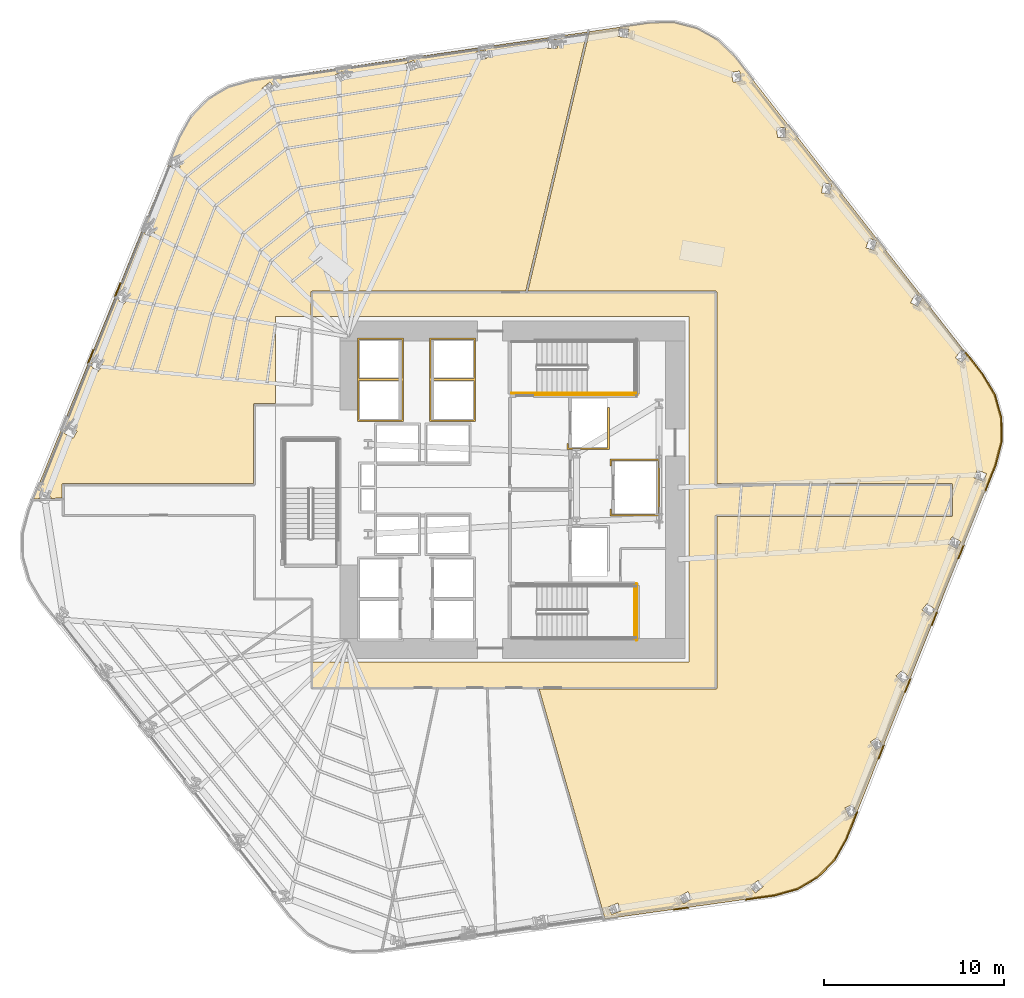
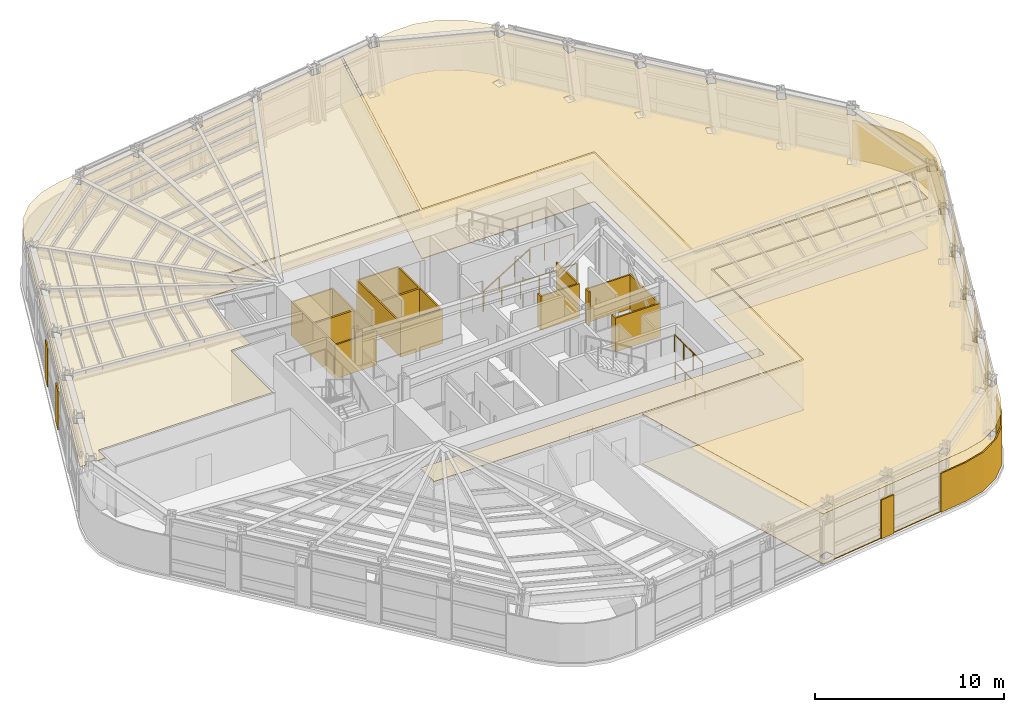
# One storey, part 12 of 16: 17 coverings, 6 railings.
"""IFC4 building model written with IfcOpenShell, lengths in metres."""

import ifcopenshell
import ifcopenshell.guid

model = None  # the IFC model being written
_history = None  # IfcOwnerHistory: only IFC2X3 demands one
_inside = {}  # id of a spatial element -> (the spatial element, [elements in it])
_under = {}  # id of a project, library or spatial element -> (it, [spatial elements below it])
_declared = {}  # id of a project -> (the project, [libraries it declares])
_typed = {}  # id of a type object -> (the type object, [elements of that type])
_made_of = {}  # id of a material, layer set ... -> (it, [elements and type objects made of it])


def new_model(schema):
    """Start an empty IFC model of exactly this schema.

    Asked for "IFC4X3", IfcOpenShell would pick the latest addendum, in which some entities
    have other attributes; the version numbers below select the first issue.
    IFC2X3 requires an IfcOwnerHistory on every rooted entity: one is made here for all.
    """
    global model, _history
    if schema == "IFC4X3":
        model = ifcopenshell.file(schema_version=(4, 3, 0, 0))
    else:
        model = ifcopenshell.file(schema=schema)
    _inside.clear()
    _under.clear()
    _declared.clear()
    _typed.clear()
    _made_of.clear()
    _history = None
    if model.schema == "IFC2X3":
        org = make("IfcOrganization", Name="unknown")
        user = make(
            "IfcPersonAndOrganization",
            ThePerson=make("IfcPerson", FamilyName="unknown"),
            TheOrganization=org,
        )
        app = make(
            "IfcApplication",
            ApplicationDeveloper=org,
            Version="unknown",
            ApplicationFullName="unknown",
            ApplicationIdentifier="unknown",
        )
        _history = make(
            "IfcOwnerHistory",
            OwningUser=user,
            OwningApplication=app,
            ChangeAction="ADDED",
            CreationDate=0,
        )
    return model


def make(cls, **values):
    """One entity of the class cls with the attributes given. An attribute that is None is left unset."""
    return model.create_entity(
        cls, **{name: value for name, value in values.items() if value is not None}
    )


def rooted(cls, **values):
    """An entity with a GlobalId (a new one), such as an element, a storey or a relation."""
    return make(cls, GlobalId=ifcopenshell.guid.new(), OwnerHistory=_history, **values)


def si_unit(unit_type, name, prefix=None):
    """IfcSIUnit, for example si_unit("LENGTHUNIT", "METRE", prefix="MILLI")."""
    return make("IfcSIUnit", UnitType=unit_type, Prefix=prefix, Name=name)


def assignment(units):
    """IfcUnitAssignment: the units of a project."""
    return None if units is None else make("IfcUnitAssignment", Units=units)


def point(xyz):
    """IfcCartesianPoint."""
    return None if xyz is None else make("IfcCartesianPoint", Coordinates=xyz)


def direction(xyz):
    """IfcDirection."""
    return None if xyz is None else make("IfcDirection", DirectionRatios=xyz)


def frame(location, z_axis=None, x_axis=None):
    """IfcAxis2Placement3D, a coordinate frame: its origin and axes. An axis left out is left unset."""
    return make(
        "IfcAxis2Placement3D",
        Location=point(location),
        Axis=direction(z_axis),
        RefDirection=direction(x_axis),
    )


def frame_2d(location, x_axis=None):
    """IfcAxis2Placement2D, a coordinate frame in the plane: its origin and x axis."""
    return make(
        "IfcAxis2Placement2D", Location=point(location), RefDirection=direction(x_axis)
    )


def origin():
    """The frame at (0, 0, 0) with its axes left unset."""
    return frame((0.0, 0.0, 0.0))


def origin_2d():
    """The frame at (0, 0) in the plane with its x axis left unset."""
    return frame_2d((0.0, 0.0))


def place(relative_to, where):
    """IfcLocalPlacement: puts the frame where relative to a parent placement (None: the world)."""
    return make(
        "IfcLocalPlacement", PlacementRelTo=relative_to, RelativePlacement=where
    )


def context(
    kind, dimensions, precision=None, world=None, true_north=None, identifier=None
):
    """IfcGeometricRepresentationContext, for example the 3D "Model" context."""
    return make(
        "IfcGeometricRepresentationContext",
        ContextIdentifier=identifier,
        ContextType=kind,
        CoordinateSpaceDimension=dimensions,
        Precision=precision,
        WorldCoordinateSystem=world,
        TrueNorth=true_north,
    )


def subcontext(parent, identifier, kind, view, scale=None):
    """IfcGeometricRepresentationSubContext, for example "Body" below "Model"."""
    return make(
        "IfcGeometricRepresentationSubContext",
        ContextIdentifier=identifier,
        ContextType=kind,
        ParentContext=parent,
        TargetScale=scale,
        TargetView=view,
    )


def project(units=None, contexts=None):
    """IfcProject with its units and contexts."""
    return rooted(
        "IfcProject",
        Name="project",
        RepresentationContexts=contexts,
        UnitsInContext=assignment(units),
    )


def spatial(cls, under=None, at=None, **own):
    """A site, building, storey or space (cls), placed at a placement, below another one or the project."""
    s = rooted(cls, ObjectPlacement=at, **own)
    if under is not None:
        _under.setdefault(under.id(), (under, []))[1].append(s)
    return s


def polyline(points):
    """IfcPolyline through the points."""
    return make("IfcPolyline", Points=[point(p) for p in points])


def profile(cls, at=None, kind="AREA", **sizes):
    """A parametric profile (cls). Its sizes go by their IFC names, for example OverallWidth=200.0."""
    return make(cls, ProfileType=kind, Position=at, **sizes)


def circle(**sizes):
    """IfcCircleProfileDef."""
    return profile("IfcCircleProfileDef", **sizes)


def outline(outer, holes=None, kind="AREA"):
    """IfcArbitraryClosedProfileDef: a profile drawn as a closed curve; with holes, ...WithVoids."""
    if holes is None:
        return make("IfcArbitraryClosedProfileDef", ProfileType=kind, OuterCurve=outer)
    return make(
        "IfcArbitraryProfileDefWithVoids",
        ProfileType=kind,
        OuterCurve=outer,
        InnerCurves=holes,
    )


def extrude(swept, where, along, depth):
    """IfcExtrudedAreaSolid: the profile swept, set in the frame where, extruded along a direction by depth."""
    return make(
        "IfcExtrudedAreaSolid",
        SweptArea=swept,
        Position=where,
        ExtrudedDirection=direction(along),
        Depth=depth,
    )


def shape(context_of_items, identifier, shape_type, items):
    """IfcShapeRepresentation: the items that make up one representation, for example the "Body"."""
    return make(
        "IfcShapeRepresentation",
        ContextOfItems=context_of_items,
        RepresentationIdentifier=identifier,
        RepresentationType=shape_type,
        Items=items,
    )


def material(Name=None, Category=None):
    """IfcMaterial."""
    return make("IfcMaterial", Name=Name, Category=Category)


def layer(
    of_material, thickness, ventilated=None, Name=None, Category=None, Priority=None
):
    """IfcMaterialLayer: one layer of a wall or slab, of a material (None: an air gap)."""
    return make(
        "IfcMaterialLayer",
        Material=of_material,
        LayerThickness=thickness,
        IsVentilated=ventilated,
        Name=Name,
        Category=Category,
        Priority=Priority,
    )


def layer_set(layers, Name=None):
    """IfcMaterialLayerSet."""
    return make("IfcMaterialLayerSet", MaterialLayers=layers, LayerSetName=Name)


def made_of(thing, what):
    """Note that an element or type object is made of a material, layer set ...; save() writes the relation."""
    if what is not None:
        _made_of.setdefault(what.id(), (what, []))[1].append(thing)
    return thing


def type_object(cls, material=None, **own):
    """A type object (cls), such as IfcWallType, which elements share."""
    return made_of(rooted(cls, **own), material)


def element(
    cls,
    number,
    at=None,
    inside=None,
    cuts=None,
    type_object=None,
    material=None,
    context=None,
    identifier="Body",
    shape_type=None,
    held_by="IfcProductDefinitionShape",
    body=None,
    shapes=None,
    **own,
):
    """One element of the class cls, such as IfcWall. Its Tag is "e" and its number.

    at: its placement. inside: the storey or other place that contains it. cuts: it is an
    opening in that element (IfcRelVoidsElement). A single representation is given by context,
    identifier, shape_type and body (its items); several are given by shapes. held_by: the class
    of the entity that holds the representations. save() writes the other relations.
    """
    e = rooted(cls, Tag="e%d" % number, ObjectPlacement=at, **own)
    if body is not None:
        shapes = [shape(context, identifier, shape_type, body)]
    if shapes is not None:
        e.Representation = make(held_by, Representations=shapes)
    if inside is not None:
        _inside.setdefault(inside.id(), (inside, []))[1].append(e)
    if cuts is not None:
        rooted(
            "IfcRelVoidsElement", RelatingBuildingElement=cuts, RelatedOpeningElement=e
        )
    if type_object is not None:
        _typed.setdefault(type_object.id(), (type_object, []))[1].append(e)
    return made_of(e, material)


def aggregate(whole, parts):
    """IfcRelAggregates: a whole, such as a stair, and the parts it consists of."""
    return rooted("IfcRelAggregates", RelatingObject=whole, RelatedObjects=parts)


def save(model, path):
    """Write the relations noted so far, then the file.

    IfcRelAggregates (storeys below a building ...), IfcRelContainedInSpatialStructure (elements
    in a storey), IfcRelDefinesByType, IfcRelAssociatesMaterial and IfcRelDeclares: one each for
    every whole, place, type object, material and project.
    """
    for whole, parts in _under.values():
        aggregate(whole, parts)
    for where, things in _inside.values():
        rooted(
            "IfcRelContainedInSpatialStructure",
            RelatedElements=things,
            RelatingStructure=where,
        )
    for kind, things in _typed.values():
        rooted("IfcRelDefinesByType", RelatedObjects=things, RelatingType=kind)
    for what, things in _made_of.values():
        rooted("IfcRelAssociatesMaterial", RelatedObjects=things, RelatingMaterial=what)
    for by, libraries in _declared.values():
        rooted("IfcRelDeclares", RelatingContext=by, RelatedDefinitions=libraries)
    model.write(path)


model = new_model("IFC4")

# Units and contexts
model_context = context("Model", 3, precision=1e-05, world=origin(), true_north=direction((0.0, 1.0)))
body_context = subcontext(model_context, "Body", "Model", "MODEL_VIEW")
ifc_project = project(units=[si_unit("LENGTHUNIT", "METRE"), si_unit("AREAUNIT", "SQUARE_METRE"), si_unit("VOLUMEUNIT", "CUBIC_METRE"), si_unit("PLANEANGLEUNIT", "RADIAN"), si_unit("MASSUNIT", "GRAM", prefix="KILO")], contexts=[model_context])

# Site, building, storey
site_placement = place(None, origin())
site = spatial("IfcSite", under=ifc_project, at=site_placement, CompositionType="ELEMENT")
building_placement = place(site_placement, origin())
building = spatial("IfcBuilding", under=site, at=building_placement, Name="Valkerne Bourse Tower", CompositionType="ELEMENT")
storey_placement = place(building_placement, frame((0.0, 0.0, 58.199951171875)))
storey = spatial("IfcBuildingStorey", under=building, at=storey_placement, Name="L14", CompositionType="ELEMENT", Elevation=58.199951171875)

# Coverings
ifc_material_1 = material(Name="Mineral Fiber Acoustic Ceiling Tile", Category="acoustic")
ifc_layer_1 = layer(ifc_material_1, 0.02490234375)
ifc_layer_set_1 = layer_set([ifc_layer_1], Name="Mineral Fiber Acoustic Ceiling Tile")
covering_type_1 = type_object("IfcCoveringType", Name="COV-CEIL-ACT", PredefinedType="CEILING", material=ifc_layer_set_1)
covering_1_placement = place(storey_placement, frame((0.0, 0.0, 3.22998046875)))
element("IfcCovering", 1, at=covering_1_placement, inside=storey, type_object=covering_type_1, Name="L14 Suspended Ceiling 07", PredefinedType="CEILING", context=body_context, shape_type="SweptSolid", body=[
    extrude(outline(polyline([(29.8623046875, 48.6015625), (30.998046875, 49.273193359375), (32.2783203125, 49.630859375), (50.94580078125, 52.339111328125), (47.527587890625, 37.9189453125), (35.649658203125, 37.9189453125), (35.620849609375, 37.91259765625), (35.591064453125, 37.885986328125), (35.5810546875, 37.8505859375), (35.5810546875, 36.5), (33.60009765625, 36.5), (33.60009765625, 31.6689453125), (32.449462890625, 31.6689453125), (32.419921875, 31.662109375), (32.39404296875, 31.640625), (32.381103515625, 31.6005859375), (32.381103515625, 27.218994140625), (21.79541015625, 27.218994140625), (21.7529296875, 27.200927734375), (21.731201171875, 27.154541015625), (21.73095703125, 26.41259765625), (21.10009765625, 26.39501953125), (21.124267578125, 26.4580078125), (21.1240234375, 26.461669921875), (20.603759765625, 26.657958984375), (20.496826171875, 26.378173828125), (20.1298828125, 26.367919921875), (26.203857421875, 41.3603515625), (26.502197265625, 40.896484375), (26.88623046875, 41.1416015625), (26.88818359375, 41.144287109375), (26.58740234375, 41.6123046875), (26.20751953125, 41.369873046875), (27.70068359375, 45.05517578125), (27.889892578125, 44.634033203125), (28.305908203125, 44.81884765625), (28.30859375, 44.821533203125), (28.080810546875, 45.328857421875), (27.75244140625, 45.18310546875), (28.286376953125, 46.500732421875), (28.93896484375, 47.65869140625), (29.8623046875, 48.6015625)]), holes=[polyline([(22.57763671875, 30.133056640625), (22.578125, 30.13671875), (22.093017578125, 30.408447265625), (21.868896484375, 30.01171875), (21.868408203125, 30.00830078125), (22.353515625, 29.736572265625), (22.57763671875, 30.133056640625)]), polyline([(24.0244140625, 33.80615234375), (23.589111328125, 34.15234375), (23.30419921875, 33.796630859375), (23.30322265625, 33.793212890625), (23.738525390625, 33.447021484375), (24.0234375, 33.802734375), (24.0244140625, 33.80615234375)]), polyline([(25.45947265625, 37.470458984375), (25.4609375, 37.4736328125), (25.0888671875, 37.88720703125), (24.7490234375, 37.58349609375), (24.74755859375, 37.580322265625), (25.11962890625, 37.1669921875), (25.45947265625, 37.470458984375)]), polyline([(33.15625, 48.8525390625), (33.584716796875, 49.202880859375), (33.295654296875, 49.5576171875), (33.29248046875, 49.5556640625), (32.864013671875, 49.205322265625), (33.15283203125, 48.8505859375), (33.15625, 48.8525390625)]), polyline([(37.052490234375, 49.48291015625), (37.52880859375, 49.765380859375), (37.295654296875, 50.1591796875), (37.29248046875, 50.157958984375), (36.816162109375, 49.875244140625), (37.04931640625, 49.4814453125), (37.052490234375, 49.48291015625)]), polyline([(40.94775390625, 50.12255859375), (41.46337890625, 50.324951171875), (41.296875, 50.751220703125), (41.29345703125, 50.750244140625), (40.77783203125, 50.5478515625), (40.9443359375, 50.121826171875), (40.94775390625, 50.12255859375)]), polyline([(45.388427734375, 50.885986328125), (45.29443359375, 51.333740234375), (45.291015625, 51.33349609375), (44.7490234375, 51.218994140625), (44.843017578125, 50.771240234375), (44.846435546875, 50.771484375), (45.388427734375, 50.885986328125)]), polyline([(49.3056640625, 51.452880859375), (49.284912109375, 51.909912109375), (49.28125, 51.910400390625), (48.72802734375, 51.884521484375), (48.748779296875, 51.42724609375), (48.75244140625, 51.427001953125), (49.3056640625, 51.452880859375)])]), origin(), (0.0, 0.0, 1.0), 0.025146484375),
])
covering_2_placement = place(storey_placement, frame((0.0, 0.0, 3.22998046875)))
element("IfcCovering", 2, at=covering_2_placement, inside=storey, type_object=covering_type_1, Name="L14 Suspended Ceiling 08", PredefinedType="CEILING", context=body_context, shape_type="SweptSolid", body=[
    extrude(outline(polyline([(62.645263671875, 4.671630859375), (61.365234375, 4.314208984375), (51.943603515625, 2.999267578125), (48.2783203125, 15.781005859375), (58.1005859375, 15.781005859375), (58.130126953125, 15.787841796875), (58.158935546875, 15.81396484375), (58.1689453125, 15.849365234375), (58.1689453125, 25.381103515625), (71.2099609375, 25.381591796875), (71.2509765625, 25.403076171875), (71.268798828125, 25.446533203125), (71.266845703125, 27.16748046875), (71.24169921875, 27.205322265625), (71.20068359375, 27.218994140625), (58.1689453125, 27.218994140625), (58.1689453125, 37.850830078125), (58.151123046875, 37.896484375), (58.12890625, 37.91259765625), (58.100341796875, 37.9189453125), (47.64892578125, 37.9189453125), (51.0712890625, 52.357421875), (54.457763671875, 52.8486328125), (55.78662109375, 52.862548828125), (57.064697265625, 52.5341796875), (58.21435546875, 51.88671875), (59.163818359375, 50.956787109375), (72.011474609375, 34.47998046875), (71.7578125, 34.66259765625), (71.4306640625, 34.2138671875), (71.431640625, 34.210205078125), (71.8017578125, 33.94384765625), (72.10498046875, 34.360107421875), (72.945068359375, 33.28271484375), (73.62158203125, 32.138671875), (73.9765625, 30.86767578125), (73.990234375, 29.54833984375), (73.65966796875, 28.2607421875), (65.928955078125, 8.87890625), (65.710205078125, 9.365966796875), (65.2939453125, 9.18115234375), (65.29150390625, 9.178466796875), (65.519287109375, 8.671142578125), (65.91650390625, 8.84765625), (65.356689453125, 7.44384765625), (64.704345703125, 6.2861328125), (63.781005859375, 5.34326171875), (62.645263671875, 4.671630859375)]), holes=[polyline([(52.306640625, 3.249755859375), (52.822265625, 3.4521484375), (52.655517578125, 3.878173828125), (52.652099609375, 3.87744140625), (52.13671875, 3.675048828125), (52.30322265625, 3.248779296875), (52.306640625, 3.249755859375)]), polyline([(53.265869140625, 52.4833984375), (53.26220703125, 52.484619140625), (52.711669921875, 52.541015625), (52.664306640625, 52.0859375), (52.66796875, 52.0849609375), (53.218505859375, 52.028564453125), (53.265869140625, 52.4833984375)]), polyline([(56.78369140625, 4.124755859375), (56.55078125, 4.5185546875), (56.547607421875, 4.51708984375), (56.0712890625, 4.234619140625), (56.30419921875, 3.8408203125), (56.3076171875, 3.842041015625), (56.78369140625, 4.124755859375)]), polyline([(60.3076171875, 4.4443359375), (60.736083984375, 4.794677734375), (60.447021484375, 5.1494140625), (60.44384765625, 5.1474609375), (60.015380859375, 4.797119140625), (60.304443359375, 4.4423828125), (60.3076171875, 4.4443359375)]), polyline([(67.398681640625, 12.635986328125), (67.09765625, 13.103515625), (66.7138671875, 12.8583984375), (66.711669921875, 12.855712890625), (67.0126953125, 12.3876953125), (67.396484375, 12.6328125), (67.398681640625, 12.635986328125)]), polyline([(68.850830078125, 16.41650390625), (68.852294921875, 16.419677734375), (68.480224609375, 16.8330078125), (68.140625, 16.529541015625), (68.13916015625, 16.5263671875), (68.510986328125, 16.11279296875), (68.850830078125, 16.41650390625)]), polyline([(70.2958984375, 20.203369140625), (70.296875, 20.206787109375), (69.861572265625, 20.552978515625), (69.57666015625, 20.197265625), (69.57568359375, 20.19384765625), (70.010986328125, 19.84765625), (70.2958984375, 20.203369140625)]), polyline([(71.731689453125, 23.99169921875), (71.246337890625, 24.263427734375), (71.0224609375, 23.866943359375), (71.02197265625, 23.86328125), (71.507080078125, 23.591552734375), (71.731201171875, 23.98828125), (71.731689453125, 23.99169921875)]), polyline([(73.15869140625, 27.767578125), (73.15869140625, 27.771240234375), (72.63818359375, 27.967529296875), (72.475830078125, 27.5419921875), (72.475830078125, 27.538330078125), (72.996337890625, 27.342041015625), (73.15869140625, 27.767578125)]), polyline([(69.6025390625, 37.55810546875), (69.19677734375, 37.7666015625), (68.940185546875, 37.27392578125), (68.94189453125, 37.270751953125), (69.347412109375, 37.06201171875), (69.60400390625, 37.5546875), (69.6025390625, 37.55810546875)]), polyline([(67.0693359375, 40.717529296875), (67.0673828125, 40.720458984375), (66.633544921875, 40.861083984375), (66.459716796875, 40.33349609375), (66.46142578125, 40.33056640625), (66.8955078125, 40.18994140625), (67.0693359375, 40.717529296875)]), polyline([(64.52587890625, 43.87646484375), (64.5234375, 43.87890625), (64.072265625, 43.946044921875), (63.98779296875, 43.39697265625), (63.990234375, 43.394287109375), (64.44140625, 43.327392578125), (64.52587890625, 43.87646484375)]), polyline([(61.976318359375, 47.027587890625), (61.973388671875, 47.02978515625), (61.517333984375, 47.0234375), (61.522216796875, 46.468017578125), (61.52490234375, 46.4658203125), (61.981201171875, 46.47216796875), (61.976318359375, 47.027587890625)]), polyline([(59.511962890625, 49.62109375), (59.42431640625, 50.16943359375), (59.4208984375, 50.17138671875), (58.97119140625, 50.096923828125), (59.05859375, 49.548583984375), (59.06201171875, 49.546630859375), (59.511962890625, 49.62109375)])]), origin(), (0.0, 0.0, 1.0), 0.025146484375),
])
ifc_material_2 = material(Name="Bronze Anodised Aluminium AA 6063-T6", Category="aluminium")
ifc_layer_2 = layer(ifc_material_2, 0.030029296875)
ifc_layer_set_2 = layer_set([ifc_layer_2], Name="Bronze Anodised Aluminium AA 6063-T6")
covering_type_2 = type_object("IfcCoveringType", Name="COV-CEIL-METAL", PredefinedType="CEILING", material=ifc_layer_set_2)
covering_3_placement = place(storey_placement, frame((0.0, 0.0, 3.22998046875)))
element("IfcCovering", 3, at=covering_3_placement, inside=storey, type_object=covering_type_2, Name="L14 Suspended Ceiling 01", PredefinedType="CEILING", context=body_context, shape_type="SweptSolid", body=[
    extrude(outline(polyline([(71.196044921875, 27.14599609375), (71.196044921875, 25.4541015625), (58.095947265625, 25.4541015625), (58.095947265625, 15.85400390625), (35.654052734375, 15.85400390625), (35.654052734375, 17.300048828125), (56.60009765625, 17.300048828125), (56.60009765625, 36.5), (35.654052734375, 36.5), (35.654052734375, 37.845947265625), (58.095947265625, 37.845947265625), (58.095947265625, 27.14599609375), (71.196044921875, 27.14599609375)])), origin(), (0.0, 0.0, 1.0), 0.025146484375),
])
ifc_layer_3 = layer(ifc_material_2, 0.06005859375)
ifc_layer_set_3 = layer_set([ifc_layer_3], Name="Bronze Anodised Aluminium AA 6063-T6")
covering_type_3 = type_object("IfcCoveringType", Name="COV-CRN-ALUM", PredefinedType="CLADDING", material=ifc_layer_set_3)
covering_4_placement = place(storey_placement, origin())
element("IfcCovering", 4, at=covering_4_placement, inside=storey, type_object=covering_type_3, Name="L14 Wind-Shaped Corner Aluminium Cladding 01", PredefinedType="CLADDING", context=body_context, shape_type="SweptSolid", body=[
    extrude(outline(polyline([(64.73974609375, 6.259521484375), (63.808349609375, 5.308349609375), (62.66259765625, 4.630859375), (61.374267578125, 4.27099609375), (59.73388671875, 4.0419921875), (59.72265625, 4.121337890625), (61.35791015625, 4.349609375), (62.631103515625, 4.705078125), (63.758544921875, 5.371826171875), (64.67529296875, 6.307861328125), (65.32421875, 7.45947265625), (65.935791015625, 8.9931640625), (66.010009765625, 8.96337890625), (65.396484375, 7.4248046875), (64.73974609375, 6.259521484375)])), origin(), (0.0, 0.0, 1.0), 2.5),
])
covering_5_placement = place(storey_placement, origin())
element("IfcCovering", 5, at=covering_5_placement, inside=storey, type_object=covering_type_3, Name="L14 Wind-Shaped Corner Aluminium Cladding 02", PredefinedType="CLADDING", context=body_context, shape_type="SweptSolid", body=[
    extrude(outline(polyline([(55.776123046875, 3.48974609375), (55.764892578125, 3.56884765625), (56.596923828125, 3.68505859375), (56.608154296875, 3.605712890625), (55.776123046875, 3.48974609375)])), origin(), (0.0, 0.0, 1.0), 2.5),
])
covering_6_placement = place(storey_placement, origin())
element("IfcCovering", 6, at=covering_6_placement, inside=storey, type_object=covering_type_3, Name="L14 Wind-Shaped Corner Aluminium Cladding 13", PredefinedType="CLADDING", context=body_context, shape_type="SweptSolid", body=[
    extrude(outline(polyline([(23.451904296875, 34.68505859375), (23.526123046875, 34.6552734375), (23.210693359375, 33.876708984375), (23.136474609375, 33.906494140625), (23.451904296875, 34.68505859375)])), origin(), (0.0, 0.0, 1.0), 2.5),
])
covering_7_placement = place(storey_placement, origin())
element("IfcCovering", 7, at=covering_7_placement, inside=storey, type_object=covering_type_3, Name="L14 Wind-Shaped Corner Aluminium Cladding 14", PredefinedType="CLADDING", context=body_context, shape_type="SweptSolid", body=[
    extrude(outline(polyline([(24.952392578125, 38.388671875), (25.026611328125, 38.35888671875), (24.711181640625, 37.580322265625), (24.636962890625, 37.610107421875), (24.952392578125, 38.388671875)])), origin(), (0.0, 0.0, 1.0), 2.5),
])
covering_8_placement = place(storey_placement, origin())
element("IfcCovering", 8, at=covering_8_placement, inside=storey, type_object=covering_type_3, Name="L14 Wind-Shaped Corner Aluminium Cladding 26", PredefinedType="CLADDING", context=body_context, shape_type="SweptSolid", body=[
    extrude(outline(polyline([(72.9814453125, 33.3076171875), (73.662353515625, 32.156005859375), (74.0205078125, 30.8740234375), (74.034423828125, 29.54296875), (73.70166015625, 28.2470703125), (73.10107421875, 26.741455078125), (73.02685546875, 26.771240234375), (73.62548828125, 28.27197265625), (73.954345703125, 29.552734375), (73.940673828125, 30.862548828125), (73.588134765625, 32.12451171875), (72.9150390625, 33.262451171875), (71.921630859375, 34.536865234375), (71.984619140625, 34.586181640625), (72.9814453125, 33.3076171875)])), origin(), (0.0, 0.0, 1.0), 2.5),
])
covering_9_placement = place(storey_placement, origin())
element("IfcCovering", 9, at=covering_9_placement, inside=storey, type_object=covering_type_3, Name="L14 Wind-Shaped Corner Aluminium Cladding 27", PredefinedType="CLADDING", context=body_context, shape_type="SweptSolid", body=[
    extrude(outline(polyline([(71.62060546875, 23.02978515625), (71.54638671875, 23.0595703125), (71.857666015625, 23.839599609375), (71.931884765625, 23.809814453125), (71.62060546875, 23.02978515625)])), origin(), (0.0, 0.0, 1.0), 2.5),
])
covering_10_placement = place(storey_placement, origin())
element("IfcCovering", 10, at=covering_10_placement, inside=storey, type_object=covering_type_3, Name="L14 Wind-Shaped Corner Aluminium Cladding 28", PredefinedType="CLADDING", context=body_context, shape_type="SweptSolid", body=[
    extrude(outline(polyline([(70.14013671875, 19.318115234375), (70.06591796875, 19.347900390625), (70.377197265625, 20.128173828125), (70.451416015625, 20.098388671875), (70.14013671875, 19.318115234375)])), origin(), (0.0, 0.0, 1.0), 2.5),
])
covering_11_placement = place(storey_placement, origin())
element("IfcCovering", 11, at=covering_11_placement, inside=storey, type_object=covering_type_3, Name="L14 Wind-Shaped Corner Aluminium Cladding 29", PredefinedType="CLADDING", context=body_context, shape_type="SweptSolid", body=[
    extrude(outline(polyline([(68.65966796875, 15.6064453125), (68.58544921875, 15.63623046875), (68.896728515625, 16.41650390625), (68.970947265625, 16.38671875), (68.65966796875, 15.6064453125)])), origin(), (0.0, 0.0, 1.0), 2.5),
])
covering_12_placement = place(storey_placement, origin())
element("IfcCovering", 12, at=covering_12_placement, inside=storey, type_object=covering_type_3, Name="L14 Wind-Shaped Corner Aluminium Cladding 30", PredefinedType="CLADDING", context=body_context, shape_type="SweptSolid", body=[
    extrude(outline(polyline([(67.17919921875, 11.894775390625), (67.10498046875, 11.924560546875), (67.416259765625, 12.704833984375), (67.490478515625, 12.675048828125), (67.17919921875, 11.894775390625)])), origin(), (0.0, 0.0, 1.0), 2.5),
])
ifc_material_3 = material(Name="Galvanised Painted Steel", Category="steel")
ifc_layer_4 = layer(ifc_material_3, 0.044921875)
ifc_layer_set_4 = layer_set([ifc_layer_4], Name="Galvanised Painted Steel")
covering_type_4 = type_object("IfcCoveringType", Name="COV-FLR-RAF", PredefinedType="FLOORING", material=ifc_layer_set_4)
covering_13_placement = place(storey_placement, origin())
element("IfcCovering", 13, at=covering_13_placement, inside=storey, type_object=covering_type_4, Name="L14 Floor Finish 08", PredefinedType="FLOORING", context=body_context, shape_type="SweptSolid", body=[
    extrude(outline(polyline([(62.645263671875, 4.671630859375), (61.365234375, 4.314208984375), (51.943603515625, 2.999267578125), (48.2783203125, 15.781005859375), (58.1005859375, 15.781005859375), (58.130126953125, 15.787841796875), (58.158935546875, 15.81396484375), (58.1689453125, 15.849365234375), (58.1689453125, 25.381103515625), (71.2099609375, 25.381591796875), (71.2509765625, 25.403076171875), (71.268798828125, 25.446533203125), (71.266845703125, 27.16748046875), (71.24169921875, 27.205322265625), (71.20068359375, 27.218994140625), (58.1689453125, 27.218994140625), (58.1689453125, 37.850830078125), (58.151123046875, 37.896484375), (58.12890625, 37.91259765625), (58.100341796875, 37.9189453125), (47.64892578125, 37.9189453125), (51.0712890625, 52.357421875), (54.457763671875, 52.8486328125), (55.78662109375, 52.862548828125), (57.064697265625, 52.5341796875), (58.21435546875, 51.88671875), (59.163818359375, 50.956787109375), (72.011474609375, 34.47998046875), (71.7578125, 34.66259765625), (71.4306640625, 34.2138671875), (71.431640625, 34.210205078125), (71.8017578125, 33.94384765625), (72.10498046875, 34.360107421875), (72.945068359375, 33.28271484375), (73.62158203125, 32.138671875), (73.9765625, 30.86767578125), (73.990234375, 29.54833984375), (73.65966796875, 28.2607421875), (65.928955078125, 8.87890625), (65.710205078125, 9.365966796875), (65.2939453125, 9.18115234375), (65.29150390625, 9.178466796875), (65.519287109375, 8.671142578125), (65.91650390625, 8.84765625), (65.356689453125, 7.44384765625), (64.704345703125, 6.2861328125), (63.781005859375, 5.34326171875), (62.645263671875, 4.671630859375)]), holes=[polyline([(52.306640625, 3.249755859375), (52.822265625, 3.4521484375), (52.655517578125, 3.878173828125), (52.652099609375, 3.87744140625), (52.13671875, 3.675048828125), (52.30322265625, 3.248779296875), (52.306640625, 3.249755859375)]), polyline([(53.265869140625, 52.4833984375), (53.26220703125, 52.484619140625), (52.711669921875, 52.541015625), (52.664306640625, 52.0859375), (52.66796875, 52.0849609375), (53.218505859375, 52.028564453125), (53.265869140625, 52.4833984375)]), polyline([(56.78369140625, 4.124755859375), (56.55078125, 4.5185546875), (56.547607421875, 4.51708984375), (56.0712890625, 4.234619140625), (56.30419921875, 3.8408203125), (56.3076171875, 3.842041015625), (56.78369140625, 4.124755859375)]), polyline([(60.3076171875, 4.4443359375), (60.736083984375, 4.794677734375), (60.447021484375, 5.1494140625), (60.44384765625, 5.1474609375), (60.015380859375, 4.797119140625), (60.304443359375, 4.4423828125), (60.3076171875, 4.4443359375)]), polyline([(67.398681640625, 12.635986328125), (67.09765625, 13.103515625), (66.7138671875, 12.8583984375), (66.711669921875, 12.855712890625), (67.0126953125, 12.3876953125), (67.396484375, 12.6328125), (67.398681640625, 12.635986328125)]), polyline([(68.850830078125, 16.41650390625), (68.852294921875, 16.419677734375), (68.480224609375, 16.8330078125), (68.140625, 16.529541015625), (68.13916015625, 16.5263671875), (68.510986328125, 16.11279296875), (68.850830078125, 16.41650390625)]), polyline([(70.2958984375, 20.203369140625), (70.296875, 20.206787109375), (69.861572265625, 20.552978515625), (69.57666015625, 20.197265625), (69.57568359375, 20.19384765625), (70.010986328125, 19.84765625), (70.2958984375, 20.203369140625)]), polyline([(71.731689453125, 23.99169921875), (71.246337890625, 24.263427734375), (71.0224609375, 23.866943359375), (71.02197265625, 23.86328125), (71.507080078125, 23.591552734375), (71.731201171875, 23.98828125), (71.731689453125, 23.99169921875)]), polyline([(73.15869140625, 27.767578125), (73.15869140625, 27.771240234375), (72.63818359375, 27.967529296875), (72.475830078125, 27.5419921875), (72.475830078125, 27.538330078125), (72.996337890625, 27.342041015625), (73.15869140625, 27.767578125)]), polyline([(69.6025390625, 37.55810546875), (69.19677734375, 37.7666015625), (68.940185546875, 37.27392578125), (68.94189453125, 37.270751953125), (69.347412109375, 37.06201171875), (69.60400390625, 37.5546875), (69.6025390625, 37.55810546875)]), polyline([(67.0693359375, 40.717529296875), (67.0673828125, 40.720458984375), (66.633544921875, 40.861083984375), (66.459716796875, 40.33349609375), (66.46142578125, 40.33056640625), (66.8955078125, 40.18994140625), (67.0693359375, 40.717529296875)]), polyline([(64.52587890625, 43.87646484375), (64.5234375, 43.87890625), (64.072265625, 43.946044921875), (63.98779296875, 43.39697265625), (63.990234375, 43.394287109375), (64.44140625, 43.327392578125), (64.52587890625, 43.87646484375)]), polyline([(61.976318359375, 47.027587890625), (61.973388671875, 47.02978515625), (61.517333984375, 47.0234375), (61.522216796875, 46.468017578125), (61.52490234375, 46.4658203125), (61.981201171875, 46.47216796875), (61.976318359375, 47.027587890625)]), polyline([(59.511962890625, 49.62109375), (59.42431640625, 50.16943359375), (59.4208984375, 50.17138671875), (58.97119140625, 50.096923828125), (59.05859375, 49.548583984375), (59.06201171875, 49.546630859375), (59.511962890625, 49.62109375)])]), origin(), (0.0, 0.0, 1.0), 0.045166015625),
])
ifc_material_4 = material(Name="Gypsum Shaftwall Liner Board", Category="gypsum")
ifc_layer_5 = layer(ifc_material_4, 0.080078125)
ifc_layer_set_5 = layer_set([ifc_layer_5], Name="Gypsum Shaftwall Liner Board")
covering_type_5 = type_object("IfcCoveringType", Name="COV-SHF-CLAD", PredefinedType="CLADDING", material=ifc_layer_set_5)
covering_14_placement = place(storey_placement, origin())
element("IfcCovering", 14, at=covering_14_placement, inside=storey, type_object=covering_type_5, Name="L14 Hoistway & Riser Shaftwall Liner 05", PredefinedType="CLADDING", context=body_context, shape_type="SweptSolid", body=[
    extrude(outline(polyline([(38.169921875, 35.330078125), (40.72998046875, 35.330078125), (40.72998046875, 33.030029296875), (40.72998046875, 32.969970703125), (40.72998046875, 30.669921875), (38.169921875, 30.669921875), (38.169921875, 32.969970703125), (38.169921875, 33.030029296875), (38.169921875, 35.330078125)]), holes=[polyline([(38.260009765625, 32.93994140625), (38.260009765625, 30.760009765625), (40.639892578125, 30.760009765625), (40.639892578125, 32.93994140625), (38.260009765625, 32.93994140625)]), polyline([(38.260009765625, 35.239990234375), (38.260009765625, 33.06005859375), (40.639892578125, 33.06005859375), (40.639892578125, 35.239990234375), (38.260009765625, 35.239990234375)])]), origin(), (0.0, 0.0, 1.0), 2.179931640625),
])
covering_15_placement = place(storey_placement, origin())
element("IfcCovering", 15, at=covering_15_placement, inside=storey, type_object=covering_type_5, Name="L14 Hoistway & Riser Shaftwall Liner 08", PredefinedType="CLADDING", context=body_context, shape_type="SweptSolid", body=[
    extrude(outline(polyline([(54.97998046875, 25.419921875), (52.219970703125, 25.419921875), (52.219970703125, 25.81787109375), (52.227783203125, 25.814208984375), (52.269287109375, 25.79931640625), (52.31005859375, 25.789306640625), (52.31005859375, 25.510009765625), (54.889892578125, 25.510009765625), (54.889892578125, 28.489990234375), (52.31005859375, 28.489990234375), (52.31005859375, 28.210693359375), (52.269287109375, 28.20068359375), (52.227783203125, 28.185791015625), (52.219970703125, 28.18212890625), (52.219970703125, 28.580078125), (54.97998046875, 28.580078125), (54.97998046875, 25.419921875)])), origin(), (0.0, 0.0, 1.0), 2.179931640625),
])
covering_16_placement = place(storey_placement, origin())
element("IfcCovering", 16, at=covering_16_placement, inside=storey, type_object=covering_type_5, Name="L14 Hoistway & Riser Shaftwall Liner 10", PredefinedType="CLADDING", context=body_context, shape_type="SweptSolid", body=[
    extrude(outline(polyline([(49.820068359375, 29.1201171875), (49.820068359375, 29.468017578125), (49.827880859375, 29.46435546875), (49.869384765625, 29.449462890625), (49.909912109375, 29.439208984375), (49.909912109375, 29.2099609375), (52.090087890625, 29.2099609375), (52.090087890625, 31.449951171875), (52.179931640625, 31.449951171875), (52.179931640625, 29.1201171875), (49.820068359375, 29.1201171875)])), origin(), (0.0, 0.0, 1.0), 2.179931640625),
])
covering_17_placement = place(storey_placement, origin())
element("IfcCovering", 17, at=covering_17_placement, inside=storey, type_object=covering_type_5, Name="L14 Hoistway & Riser Shaftwall Liner 11", PredefinedType="CLADDING", context=body_context, shape_type="SweptSolid", body=[
    extrude(outline(polyline([(44.72998046875, 35.330078125), (44.72998046875, 33.030029296875), (44.72998046875, 32.969970703125), (44.72998046875, 30.669921875), (42.169921875, 30.669921875), (42.169921875, 32.969970703125), (42.169921875, 33.030029296875), (42.169921875, 35.330078125), (44.72998046875, 35.330078125)]), holes=[polyline([(42.260009765625, 30.760009765625), (44.639892578125, 30.760009765625), (44.639892578125, 32.93994140625), (42.260009765625, 32.93994140625), (42.260009765625, 30.760009765625)]), polyline([(42.260009765625, 33.06005859375), (44.639892578125, 33.06005859375), (44.639892578125, 35.239990234375), (42.260009765625, 35.239990234375), (42.260009765625, 33.06005859375)])]), origin(), (0.0, 0.0, 1.0), 2.179931640625),
])

# Railings
railing_type_1 = type_object("IfcRailingType", Name="RLG-ST-GUARD-1120", PredefinedType="GUARDRAIL", material=ifc_material_3)
railing_1_placement = place(storey_placement, frame((53.60009765625, 18.60009765625, 1.900146484375)))
element("IfcRailing", 18, at=railing_1_placement, inside=storey, type_object=railing_type_1, Name="L14 ST-1 stair guard 5", PredefinedType="GUARDRAIL", context=body_context, shape_type="SweptSolid", body=[
    extrude(circle(Radius=0.02392578125, at=origin_2d()), frame((0.0, 0.0, 1.09619140625), z_axis=(0.0, 1.0, 0.0), x_axis=(-1.0, 0.0, 0.0)), (0.0, 0.0, 1.0), 2.949951171875),
    extrude(circle(Radius=0.02099609375, at=origin_2d()), origin(), (0.0, 0.0, 1.0), 1.072021484375),
    extrude(circle(Radius=0.02099609375, at=origin_2d()), frame((0.0, 0.9833984375, 0.0)), (0.0, 0.0, 1.0), 1.072021484375),
    extrude(circle(Radius=0.02099609375, at=origin_2d()), frame((0.0, 1.966552734375, 0.0)), (0.0, 0.0, 1.0), 1.072021484375),
    extrude(circle(Radius=0.02099609375, at=origin_2d()), frame((0.0, 2.949951171875, 0.0)), (0.0, 0.0, 1.0), 1.072021484375),
])
railing_2_placement = place(storey_placement, frame((53.699951171875, 18.5, 0.0)))
element("IfcRailing", 19, at=railing_2_placement, inside=storey, type_object=railing_type_1, Name="L14 ST-1 stair guard 12", PredefinedType="GUARDRAIL", context=body_context, shape_type="SweptSolid", body=[
    extrude(circle(Radius=0.02392578125, at=origin_2d()), frame((0.0, 0.0, 1.09619140625), z_axis=(0.0, 1.0, 0.0), x_axis=(-1.0, 0.0, 0.0)), (0.0, 0.0, 1.0), 3.14990234375),
    extrude(circle(Radius=0.02099609375, at=origin_2d()), origin(), (0.0, 0.0, 1.0), 1.072021484375),
    extrude(circle(Radius=0.02099609375, at=origin_2d()), frame((0.0, 1.050048828125, 0.0)), (0.0, 0.0, 1.0), 1.072021484375),
    extrude(circle(Radius=0.02099609375, at=origin_2d()), frame((0.0, 2.099853515625, 0.0)), (0.0, 0.0, 1.0), 1.072021484375),
    extrude(circle(Radius=0.02099609375, at=origin_2d()), frame((0.0, 3.14990234375, 0.0)), (0.0, 0.0, 1.0), 1.072021484375),
])
railing_3_placement = place(storey_placement, frame((50.949951171875, 32.25, 1.900146484375)))
element("IfcRailing", 20, at=railing_3_placement, inside=storey, type_object=railing_type_1, Name="L14 ST-2 stair guard 3", PredefinedType="GUARDRAIL", context=body_context, shape_type="SweptSolid", body=[
    extrude(circle(Radius=0.02392578125, at=origin_2d()), frame((0.0, 0.0, 1.09619140625), z_axis=(1.0, 0.0, 0.0), x_axis=(0.0, 1.0, 0.0)), (0.0, 0.0, 1.0), 2.699951171875),
    extrude(circle(Radius=0.02099609375, at=origin_2d()), origin(), (0.0, 0.0, 1.0), 1.072021484375),
    extrude(circle(Radius=0.02099609375, at=origin_2d()), frame((0.89990234375, 0.0, 0.0)), (0.0, 0.0, 1.0), 1.072021484375),
    extrude(circle(Radius=0.02099609375, at=origin_2d()), frame((1.800048828125, 0.0, 0.0)), (0.0, 0.0, 1.0), 1.072021484375),
    extrude(circle(Radius=0.02099609375, at=origin_2d()), frame((2.699951171875, 0.0, 0.0)), (0.0, 0.0, 1.0), 1.072021484375),
])
railing_4_placement = place(storey_placement, frame((46.75, 32.25, 0.0)))
element("IfcRailing", 21, at=railing_4_placement, inside=storey, type_object=railing_type_1, Name="L14 ST-2 stair guard 8", PredefinedType="GUARDRAIL", context=body_context, shape_type="SweptSolid", body=[
    extrude(circle(Radius=0.02392578125, at=origin_2d()), frame((0.0, 0.0, 1.09619140625), z_axis=(1.0, 0.0, 0.0), x_axis=(0.0, 1.0, 0.0)), (0.0, 0.0, 1.0), 1.39990234375),
    extrude(circle(Radius=0.02099609375, at=origin_2d()), origin(), (0.0, 0.0, 1.0), 1.072021484375),
    extrude(circle(Radius=0.02099609375, at=origin_2d()), frame((0.699951171875, 0.0, 0.0)), (0.0, 0.0, 1.0), 1.072021484375),
    extrude(circle(Radius=0.02099609375, at=origin_2d()), frame((1.39990234375, 0.0, 0.0)), (0.0, 0.0, 1.0), 1.072021484375),
])
railing_5_placement = place(storey_placement, frame((48.050048828125, 32.14990234375, 0.0)))
element("IfcRailing", 22, at=railing_5_placement, inside=storey, type_object=railing_type_1, Name="L14 ST-2 stair guard 10", PredefinedType="GUARDRAIL", context=body_context, shape_type="SweptSolid", body=[
    extrude(circle(Radius=0.02392578125, at=origin_2d()), frame((0.0, 0.0, 1.09619140625), z_axis=(1.0, 0.0, 0.0), x_axis=(0.0, 1.0, 0.0)), (0.0, 0.0, 1.0), 5.699951171875),
    extrude(circle(Radius=0.02099609375, at=origin_2d()), origin(), (0.0, 0.0, 1.0), 1.072021484375),
    extrude(circle(Radius=0.02099609375, at=origin_2d()), frame((1.139892578125, 0.0, 0.0)), (0.0, 0.0, 1.0), 1.072021484375),
    extrude(circle(Radius=0.02099609375, at=origin_2d()), frame((2.280029296875, 0.0, 0.0)), (0.0, 0.0, 1.0), 1.072021484375),
    extrude(circle(Radius=0.02099609375, at=origin_2d()), frame((3.419921875, 0.0, 0.0)), (0.0, 0.0, 1.0), 1.072021484375),
    extrude(circle(Radius=0.02099609375, at=origin_2d()), frame((4.56005859375, 0.0, 0.0)), (0.0, 0.0, 1.0), 1.072021484375),
    extrude(circle(Radius=0.02099609375, at=origin_2d()), frame((5.699951171875, 0.0, 0.0)), (0.0, 0.0, 1.0), 1.072021484375),
])
ifc_material_5 = material(Name="Stainless Steel AISI 316", Category="steel")
railing_type_2 = type_object("IfcRailingType", Name="RLG-ST-HANDRAIL-900", PredefinedType="HANDRAIL", material=ifc_material_5)
railing_6_placement = place(storey_placement, frame((48.14990234375, 32.25, 0.345458984375)))
element("IfcRailing", 23, at=railing_6_placement, inside=storey, type_object=railing_type_2, Name="L14 ST-2 stair handrail 1", PredefinedType="HANDRAIL", context=body_context, shape_type="SweptSolid", body=[
    extrude(circle(Radius=0.02392578125, at=origin_2d()), frame((0.0, 0.0, 0.8759765625), z_axis=(0.851089632645, 0.0, 0.525020415988), x_axis=(0.0, 1.0, 0.0)), (0.0, 0.0, 1.0), 3.2900390625),
    extrude(circle(Radius=0.02099609375, at=origin_2d()), origin(), (0.0, 0.0, 1.0), 0.851806640625),
    extrude(circle(Radius=0.02099609375, at=origin_2d()), frame((0.933349609375, 0.0, 0.57568359375)), (0.0, 0.0, 1.0), 0.851806640625),
    extrude(circle(Radius=0.02099609375, at=origin_2d()), frame((1.86669921875, 0.0, 1.151611328125)), (0.0, 0.0, 1.0), 0.851806640625),
    extrude(circle(Radius=0.02099609375, at=origin_2d()), frame((2.800048828125, 0.0, 1.727294921875)), (0.0, 0.0, 1.0), 0.851806640625),
])

save(model, "model.ifc")
